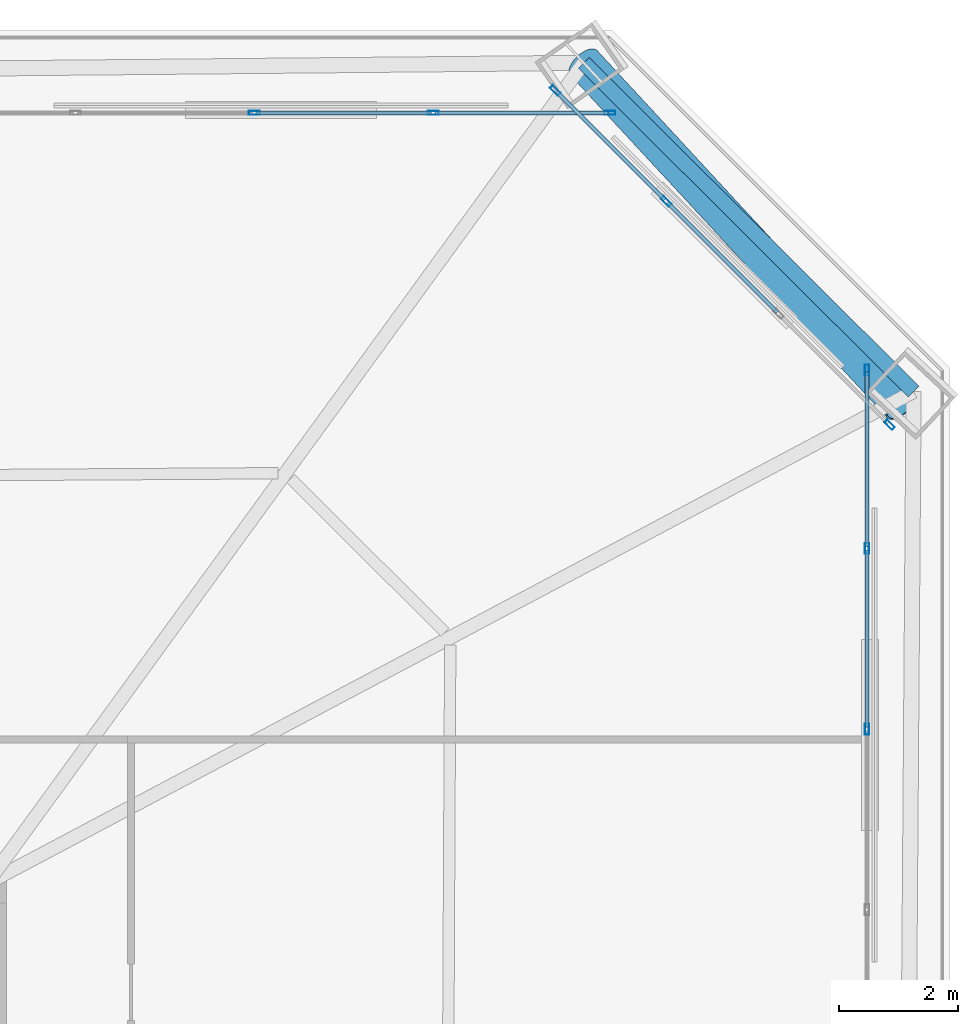
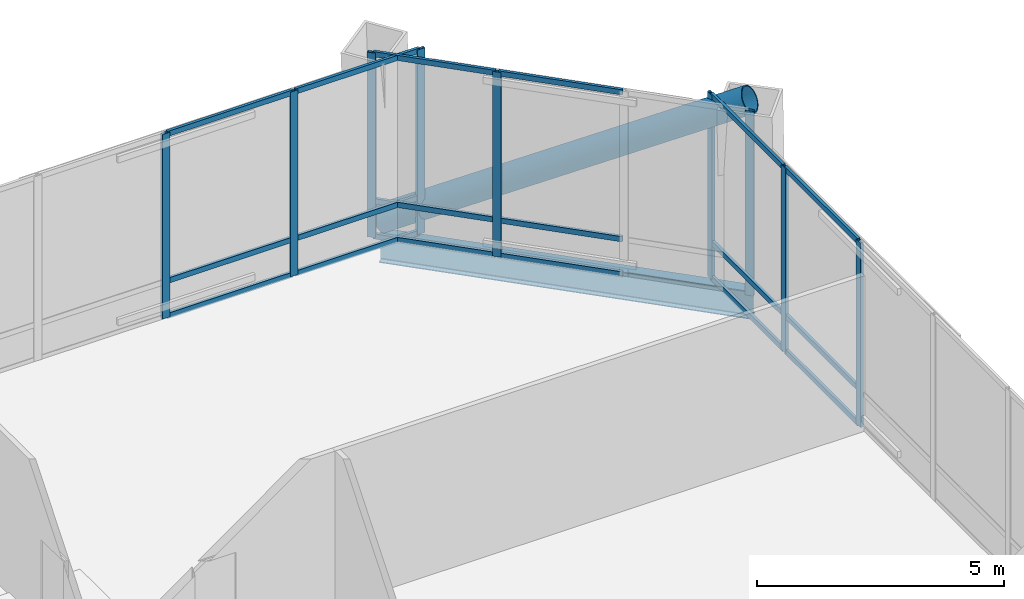
# One storey, part 39 of 48: 28 members, 1 beam, 3 elements without a shape of their own.
"""IFC4 building model written with IfcOpenShell, lengths in metres."""

from ifc_helpers import new_model, si_unit, direction, frame, origin, origin_2d, place, context, subcontext, project, spatial, hollow_rectangle, hollow_circle, i_section, extrude, material, layer, layer_set, material_profile, profile_set, type_object, element, aggregate, save


model = new_model("IFC4")

# Units and contexts
model_context = context("Model", 3, precision=1e-05, world=origin(), true_north=direction((0.0, 1.0)))
body_context = subcontext(model_context, "Body", "Model", "MODEL_VIEW")
ifc_project = project(units=[si_unit("LENGTHUNIT", "METRE"), si_unit("AREAUNIT", "SQUARE_METRE"), si_unit("VOLUMEUNIT", "CUBIC_METRE"), si_unit("PLANEANGLEUNIT", "RADIAN"), si_unit("MASSUNIT", "GRAM", prefix="KILO")], contexts=[model_context])

# Site, building, storey
site_placement = place(None, origin())
site = spatial("IfcSite", under=ifc_project, at=site_placement, CompositionType="ELEMENT")
building_placement = place(site_placement, origin())
building = spatial("IfcBuilding", under=site, at=building_placement, Name="Caelvoria Tower", CompositionType="ELEMENT")
storey_placement = place(building_placement, frame((0.0, 0.0, 90.39990234375)))
storey = spatial("IfcBuildingStorey", under=building, at=storey_placement, Name="L23", CompositionType="ELEMENT", Elevation=90.39990234375)

# Curtain wall, members
ifc_material_1 = material(Name="Anodised Bronze Aluminium and Low-E Glass", Category="aluminium")
ifc_layer = layer(ifc_material_1, 0.2099609375, Name="Anodised Bronze Aluminium and Low-E Glass")
ifc_layer_set = layer_set([ifc_layer], Name="CW System 3 Sky Lobby Double-Height Acoustic Facade - Anodised Bronze Aluminium and Low-E Glass")
curtain_wall_type = type_object("IfcCurtainWallType", Name="CW System 3 Sky Lobby Double-Height Acoustic Facade", PredefinedType="NOTDEFINED", material=ifc_layer_set)
curtain_wall_1_placement = place(storey_placement, origin())
curtain_wall_1 = element("IfcCurtainWall", 1, at=curtain_wall_1_placement, inside=storey, type_object=curtain_wall_type, Name="CW-03 Curtain Wall L23-E2", PredefinedType="NOTDEFINED")
ifc_material_2 = material(Name="Anodised Bronze Architectural Aluminium", Category="aluminium")
ifc_material_profile_1 = material_profile(ifc_material_2, hollow_rectangle(XDim=0.070068359375, YDim=0.179931640625, WallThickness=0.00390625, at=origin_2d()), Name="Anodised Bronze Architectural Aluminium")
ifc_profile_set_1 = profile_set([ifc_material_profile_1], Name="CW_MULL_70X180 - Anodised Bronze Architectural Aluminium")
member_type_1 = type_object("IfcMemberType", Name="Curtain Wall Mullion 70x180 Bronze Aluminium", PredefinedType="MULLION", material=ifc_profile_set_1)
member_1_placement = place(storey_placement, frame((69.73681640625, 42.584716796875, 0.0), z_axis=(0.0, 0.0, 1.0), x_axis=(-1.0, 0.0, 0.0)))
member_1 = element("IfcMember", 2, at=member_1_placement, type_object=member_type_1, Name="CW-03 mullion 10", PredefinedType="MULLION", context=body_context, shape_type="SweptSolid", body=[
    extrude(hollow_rectangle(XDim=0.070068359375, YDim=0.179931640625, WallThickness=0.00390625, at=origin_2d()), origin(), (0.0, 0.0, 1.0), 4.56005859375),
])
member_2_placement = place(storey_placement, frame((69.73681640625, 45.609130859375, 0.0), z_axis=(0.0, 0.0, 1.0), x_axis=(-1.0, 0.0, 0.0)))
member_2 = element("IfcMember", 3, at=member_2_placement, type_object=member_type_1, Name="CW-03 mullion 11", PredefinedType="MULLION", context=body_context, shape_type="SweptSolid", body=[
    extrude(hollow_rectangle(XDim=0.070068359375, YDim=0.179931640625, WallThickness=0.00390625, at=origin_2d()), origin(), (0.0, 0.0, 1.0), 4.56005859375),
])
member_3_placement = place(storey_placement, frame((69.73681640625, 48.598388671875, 0.0), z_axis=(0.0, 0.0, 1.0), x_axis=(-1.0, 0.0, 0.0)))
member_3 = element("IfcMember", 4, at=member_3_placement, type_object=member_type_1, Name="CW-03 mullion 12", PredefinedType="MULLION", context=body_context, shape_type="SweptSolid", body=[
    extrude(hollow_rectangle(XDim=0.070068359375, YDim=0.179931640625, WallThickness=0.00390625, at=origin_2d()), origin(), (0.0, 0.0, 1.0), 4.56005859375),
])

curtain_wall_2_placement = place(storey_placement, origin())
curtain_wall_2 = element("IfcCurtainWall", 5, at=curtain_wall_2_placement, inside=storey, type_object=curtain_wall_type, Name="CW-03 Curtain Wall L23-E3", PredefinedType="NOTDEFINED")
member_4_placement = place(storey_placement, frame((70.1162109375, 47.68212890625, 0.0), z_axis=(0.0, 0.0, 1.0), x_axis=(-0.707106781187, -0.707106781187, 0.0)))
member_4 = element("IfcMember", 6, at=member_4_placement, type_object=member_type_1, Name="CW-03 mullion 1", PredefinedType="MULLION", context=body_context, shape_type="SweptSolid", body=[
    extrude(hollow_rectangle(XDim=0.070068359375, YDim=0.179931640625, WallThickness=0.00390625, at=origin_2d()), origin(), (0.0, 0.0, 1.0), 4.56005859375),
])
member_5_placement = place(storey_placement, frame((66.374267578125, 51.424072265625, 0.0), z_axis=(0.0, 0.0, 1.0), x_axis=(-0.707106781187, -0.707106781187, 0.0)))
member_5 = element("IfcMember", 7, at=member_5_placement, type_object=member_type_1, Name="CW-03 mullion 3", PredefinedType="MULLION", context=body_context, shape_type="SweptSolid", body=[
    extrude(hollow_rectangle(XDim=0.070068359375, YDim=0.179931640625, WallThickness=0.00390625, at=origin_2d()), origin(), (0.0, 0.0, 1.0), 4.56005859375),
])
member_6_placement = place(storey_placement, frame((64.515625, 53.28271484375, 0.0), z_axis=(0.0, 0.0, 1.0), x_axis=(-0.707106781187, -0.707106781187, 0.0)))
member_6 = element("IfcMember", 8, at=member_6_placement, type_object=member_type_1, Name="CW-03 mullion 4", PredefinedType="MULLION", context=body_context, shape_type="SweptSolid", body=[
    extrude(hollow_rectangle(XDim=0.070068359375, YDim=0.179931640625, WallThickness=0.00390625, at=origin_2d()), origin(), (0.0, 0.0, 1.0), 4.56005859375),
])

curtain_wall_3_placement = place(storey_placement, origin())
curtain_wall_3 = element("IfcCurtainWall", 9, at=curtain_wall_3_placement, inside=storey, type_object=curtain_wall_type, Name="CW-03 Curtain Wall L23-E4", PredefinedType="NOTDEFINED")
member_7_placement = place(storey_placement, frame((65.431640625, 52.9033203125, 0.0), z_axis=(0.0, 0.0, 1.0), x_axis=(0.0, -1.0, 0.0)))
member_7 = element("IfcMember", 10, at=member_7_placement, type_object=member_type_1, Name="CW-03 mullion 1", PredefinedType="MULLION", context=body_context, shape_type="SweptSolid", body=[
    extrude(hollow_rectangle(XDim=0.070068359375, YDim=0.179931640625, WallThickness=0.00390625, at=origin_2d()), origin(), (0.0, 0.0, 1.0), 4.56005859375),
])
member_8_placement = place(storey_placement, frame((62.471923828125, 52.9033203125, 0.0), z_axis=(0.0, 0.0, 1.0), x_axis=(0.0, -1.0, 0.0)))
member_8 = element("IfcMember", 11, at=member_8_placement, type_object=member_type_1, Name="CW-03 mullion 2", PredefinedType="MULLION", context=body_context, shape_type="SweptSolid", body=[
    extrude(hollow_rectangle(XDim=0.070068359375, YDim=0.179931640625, WallThickness=0.00390625, at=origin_2d()), origin(), (0.0, 0.0, 1.0), 4.56005859375),
])
member_9_placement = place(storey_placement, frame((59.47705078125, 52.9033203125, 0.0), z_axis=(0.0, 0.0, 1.0), x_axis=(0.0, -1.0, 0.0)))
member_9 = element("IfcMember", 12, at=member_9_placement, type_object=member_type_1, Name="CW-03 mullion 3", PredefinedType="MULLION", context=body_context, shape_type="SweptSolid", body=[
    extrude(hollow_rectangle(XDim=0.070068359375, YDim=0.179931640625, WallThickness=0.00390625, at=origin_2d()), origin(), (0.0, 0.0, 1.0), 4.56005859375),
])

# Member
ifc_material_profile_2 = material_profile(ifc_material_2, hollow_rectangle(XDim=0.06494140625, YDim=0.1298828125, WallThickness=0.00341796875, at=origin_2d()), Name="Anodised Bronze Architectural Aluminium")
ifc_profile_set_2 = profile_set([ifc_material_profile_2], Name="CW_TRAN_65X130 - Anodised Bronze Architectural Aluminium")
member_type_2 = type_object("IfcMemberType", Name="Curtain Wall Transom 65x130 Bronze Aluminium", PredefinedType="USERDEFINED", material=ifc_profile_set_2)
member_10_placement = place(storey_placement, frame((69.73681640625, 42.619873046875, 0.03271484375), z_axis=(0.0, 1.0, 0.0), x_axis=(-1.0, 0.0, 0.0)))
member_10 = element("IfcMember", 13, at=member_10_placement, type_object=member_type_2, Name="CW-03 transom 10.1", ObjectType="TRANSOM", PredefinedType="USERDEFINED", context=body_context, shape_type="SweptSolid", body=[
    extrude(hollow_rectangle(XDim=0.06494140625, YDim=0.1298828125, WallThickness=0.00341796875, at=origin_2d()), origin(), (0.0, 0.0, 1.0), 2.9541015625),
])

member_11_placement = place(storey_placement, frame((69.73681640625, 42.619873046875, 0.900146484375), z_axis=(0.0, 1.0, 0.0), x_axis=(-1.0, 0.0, 0.0)))
member_11 = element("IfcMember", 14, at=member_11_placement, type_object=member_type_2, Name="CW-03 transom 10.2", ObjectType="TRANSOM", PredefinedType="USERDEFINED", context=body_context, shape_type="SweptSolid", body=[
    extrude(hollow_rectangle(XDim=0.06494140625, YDim=0.1298828125, WallThickness=0.00341796875, at=origin_2d()), origin(), (0.0, 0.0, 1.0), 2.9541015625),
])

member_12_placement = place(storey_placement, frame((69.73681640625, 42.619873046875, 4.527587890625), z_axis=(0.0, 1.0, 0.0), x_axis=(-1.0, 0.0, 0.0)))
member_12 = element("IfcMember", 15, at=member_12_placement, type_object=member_type_2, Name="CW-03 transom 10.3", ObjectType="TRANSOM", PredefinedType="USERDEFINED", context=body_context, shape_type="SweptSolid", body=[
    extrude(hollow_rectangle(XDim=0.06494140625, YDim=0.1298828125, WallThickness=0.00341796875, at=origin_2d()), origin(), (0.0, 0.0, 1.0), 2.9541015625),
])

member_13_placement = place(storey_placement, frame((69.73681640625, 45.64404296875, 0.03271484375), z_axis=(0.0, 1.0, 0.0), x_axis=(-1.0, 0.0, 0.0)))
member_13 = element("IfcMember", 16, at=member_13_placement, type_object=member_type_2, Name="CW-03 transom 11.1", ObjectType="TRANSOM", PredefinedType="USERDEFINED", context=body_context, shape_type="SweptSolid", body=[
    extrude(hollow_rectangle(XDim=0.06494140625, YDim=0.1298828125, WallThickness=0.00341796875, at=origin_2d()), origin(), (0.0, 0.0, 1.0), 2.919189453125),
])

member_14_placement = place(storey_placement, frame((69.73681640625, 45.64404296875, 0.900146484375), z_axis=(0.0, 1.0, 0.0), x_axis=(-1.0, 0.0, 0.0)))
member_14 = element("IfcMember", 17, at=member_14_placement, type_object=member_type_2, Name="CW-03 transom 11.2", ObjectType="TRANSOM", PredefinedType="USERDEFINED", context=body_context, shape_type="SweptSolid", body=[
    extrude(hollow_rectangle(XDim=0.06494140625, YDim=0.1298828125, WallThickness=0.00341796875, at=origin_2d()), origin(), (0.0, 0.0, 1.0), 2.919189453125),
])

member_15_placement = place(storey_placement, frame((69.73681640625, 45.64404296875, 4.527587890625), z_axis=(0.0, 1.0, 0.0), x_axis=(-1.0, 0.0, 0.0)))
member_15 = element("IfcMember", 18, at=member_15_placement, type_object=member_type_2, Name="CW-03 transom 11.3", ObjectType="TRANSOM", PredefinedType="USERDEFINED", context=body_context, shape_type="SweptSolid", body=[
    extrude(hollow_rectangle(XDim=0.06494140625, YDim=0.1298828125, WallThickness=0.00341796875, at=origin_2d()), origin(), (0.0, 0.0, 1.0), 2.919189453125),
])

aggregate(curtain_wall_1, [member_1, member_2, member_3, member_10, member_11, member_12, member_13, member_14, member_15])

member_16_placement = place(storey_placement, frame((68.23291015625, 49.565673828125, 0.03271484375), z_axis=(-0.707153847901, 0.707059711339, 0.0), x_axis=(-0.707059711339, -0.707153847901, 0.0)))
member_16 = element("IfcMember", 19, at=member_16_placement, type_object=member_type_2, Name="CW-03 transom 2.1", ObjectType="TRANSOM", PredefinedType="USERDEFINED", context=body_context, shape_type="SweptSolid", body=[
    extrude(hollow_rectangle(XDim=0.06494140625, YDim=0.1298828125, WallThickness=0.00341796875, at=origin_2d()), origin(), (0.0, 0.0, 1.0), 2.593505859375),
])

member_17_placement = place(storey_placement, frame((68.23291015625, 49.565673828125, 0.900146484375), z_axis=(-0.707153847901, 0.707059711339, 0.0), x_axis=(-0.707059711339, -0.707153847901, 0.0)))
member_17 = element("IfcMember", 20, at=member_17_placement, type_object=member_type_2, Name="CW-03 transom 2.2", ObjectType="TRANSOM", PredefinedType="USERDEFINED", context=body_context, shape_type="SweptSolid", body=[
    extrude(hollow_rectangle(XDim=0.06494140625, YDim=0.1298828125, WallThickness=0.00341796875, at=origin_2d()), origin(), (0.0, 0.0, 1.0), 2.593505859375),
])

member_18_placement = place(storey_placement, frame((68.23291015625, 49.565673828125, 4.527587890625), z_axis=(-0.707153847901, 0.707059711339, 0.0), x_axis=(-0.707059711339, -0.707153847901, 0.0)))
member_18 = element("IfcMember", 21, at=member_18_placement, type_object=member_type_2, Name="CW-03 transom 2.3", ObjectType="TRANSOM", PredefinedType="USERDEFINED", context=body_context, shape_type="SweptSolid", body=[
    extrude(hollow_rectangle(XDim=0.06494140625, YDim=0.1298828125, WallThickness=0.00341796875, at=origin_2d()), origin(), (0.0, 0.0, 1.0), 2.593505859375),
])

member_19_placement = place(storey_placement, frame((66.349365234375, 51.448974609375, 0.03271484375), z_axis=(-0.707106781187, 0.707106781187, 0.0), x_axis=(-0.707106781187, -0.707106781187, 0.0)))
member_19 = element("IfcMember", 22, at=member_19_placement, type_object=member_type_2, Name="CW-03 transom 3.1", ObjectType="TRANSOM", PredefinedType="USERDEFINED", context=body_context, shape_type="SweptSolid", body=[
    extrude(hollow_rectangle(XDim=0.06494140625, YDim=0.1298828125, WallThickness=0.00341796875, at=origin_2d()), origin(), (0.0, 0.0, 1.0), 2.558349609375),
])

member_20_placement = place(storey_placement, frame((66.349365234375, 51.448974609375, 0.900146484375), z_axis=(-0.707106781187, 0.707106781187, 0.0), x_axis=(-0.707106781187, -0.707106781187, 0.0)))
member_20 = element("IfcMember", 23, at=member_20_placement, type_object=member_type_2, Name="CW-03 transom 3.2", ObjectType="TRANSOM", PredefinedType="USERDEFINED", context=body_context, shape_type="SweptSolid", body=[
    extrude(hollow_rectangle(XDim=0.06494140625, YDim=0.1298828125, WallThickness=0.00341796875, at=origin_2d()), origin(), (0.0, 0.0, 1.0), 2.558349609375),
])

member_21_placement = place(storey_placement, frame((66.349365234375, 51.448974609375, 4.527587890625), z_axis=(-0.707106781187, 0.707106781187, 0.0), x_axis=(-0.707106781187, -0.707106781187, 0.0)))
member_21 = element("IfcMember", 24, at=member_21_placement, type_object=member_type_2, Name="CW-03 transom 3.3", ObjectType="TRANSOM", PredefinedType="USERDEFINED", context=body_context, shape_type="SweptSolid", body=[
    extrude(hollow_rectangle(XDim=0.06494140625, YDim=0.1298828125, WallThickness=0.00341796875, at=origin_2d()), origin(), (0.0, 0.0, 1.0), 2.558349609375),
])

aggregate(curtain_wall_2, [member_4, member_5, member_6, member_16, member_17, member_18, member_19, member_20, member_21])

member_22_placement = place(storey_placement, frame((65.396728515625, 52.9033203125, 0.03271484375), z_axis=(-1.0, 0.0, 0.0), x_axis=(0.0, -1.0, 0.0)))
member_22 = element("IfcMember", 25, at=member_22_placement, type_object=member_type_2, Name="CW-03 transom 1.1", ObjectType="TRANSOM", PredefinedType="USERDEFINED", context=body_context, shape_type="SweptSolid", body=[
    extrude(hollow_rectangle(XDim=0.06494140625, YDim=0.1298828125, WallThickness=0.00341796875, at=origin_2d()), origin(), (0.0, 0.0, 1.0), 2.889892578125),
])

member_23_placement = place(storey_placement, frame((65.396728515625, 52.9033203125, 0.900146484375), z_axis=(-1.0, 0.0, 0.0), x_axis=(0.0, -1.0, 0.0)))
member_23 = element("IfcMember", 26, at=member_23_placement, type_object=member_type_2, Name="CW-03 transom 1.2", ObjectType="TRANSOM", PredefinedType="USERDEFINED", context=body_context, shape_type="SweptSolid", body=[
    extrude(hollow_rectangle(XDim=0.06494140625, YDim=0.1298828125, WallThickness=0.00341796875, at=origin_2d()), origin(), (0.0, 0.0, 1.0), 2.889892578125),
])

member_24_placement = place(storey_placement, frame((65.396728515625, 52.9033203125, 4.527587890625), z_axis=(-1.0, 0.0, 0.0), x_axis=(0.0, -1.0, 0.0)))
member_24 = element("IfcMember", 27, at=member_24_placement, type_object=member_type_2, Name="CW-03 transom 1.3", ObjectType="TRANSOM", PredefinedType="USERDEFINED", context=body_context, shape_type="SweptSolid", body=[
    extrude(hollow_rectangle(XDim=0.06494140625, YDim=0.1298828125, WallThickness=0.00341796875, at=origin_2d()), origin(), (0.0, 0.0, 1.0), 2.889892578125),
])

member_25_placement = place(storey_placement, frame((62.436767578125, 52.9033203125, 0.03271484375), z_axis=(-1.0, 0.0, 0.0), x_axis=(0.0, -1.0, 0.0)))
member_25 = element("IfcMember", 28, at=member_25_placement, type_object=member_type_2, Name="CW-03 transom 2.1", ObjectType="TRANSOM", PredefinedType="USERDEFINED", context=body_context, shape_type="SweptSolid", body=[
    extrude(hollow_rectangle(XDim=0.06494140625, YDim=0.1298828125, WallThickness=0.00341796875, at=origin_2d()), origin(), (0.0, 0.0, 1.0), 2.9248046875),
])

member_26_placement = place(storey_placement, frame((62.436767578125, 52.9033203125, 0.900146484375), z_axis=(-1.0, 0.0, 0.0), x_axis=(0.0, -1.0, 0.0)))
member_26 = element("IfcMember", 29, at=member_26_placement, type_object=member_type_2, Name="CW-03 transom 2.2", ObjectType="TRANSOM", PredefinedType="USERDEFINED", context=body_context, shape_type="SweptSolid", body=[
    extrude(hollow_rectangle(XDim=0.06494140625, YDim=0.1298828125, WallThickness=0.00341796875, at=origin_2d()), origin(), (0.0, 0.0, 1.0), 2.9248046875),
])

member_27_placement = place(storey_placement, frame((62.436767578125, 52.9033203125, 4.527587890625), z_axis=(-1.0, 0.0, 0.0), x_axis=(0.0, -1.0, 0.0)))
member_27 = element("IfcMember", 30, at=member_27_placement, type_object=member_type_2, Name="CW-03 transom 2.3", ObjectType="TRANSOM", PredefinedType="USERDEFINED", context=body_context, shape_type="SweptSolid", body=[
    extrude(hollow_rectangle(XDim=0.06494140625, YDim=0.1298828125, WallThickness=0.00341796875, at=origin_2d()), origin(), (0.0, 0.0, 1.0), 2.9248046875),
])

aggregate(curtain_wall_3, [member_7, member_8, member_9, member_22, member_23, member_24, member_25, member_26, member_27])

ifc_material_3 = material(Name="Structural Steel ASTM A572 Gr.50", Category="steel")
ifc_material_profile_3 = material_profile(ifc_material_3, hollow_circle(Radius=0.304931640625, WallThickness=0.02490234375, at=origin_2d()), Name="Structural Steel ASTM A572 Gr.50")
ifc_profile_set_3 = profile_set([ifc_material_profile_3], Name="CHS610X25 - Structural Steel ASTM A572 Gr.50")
member_type_3 = type_object("IfcMemberType", Name="Lower Perimeter Mega Brace CHS610X25", PredefinedType="BRACE", material=ifc_profile_set_3)
member_28_placement = place(storey_placement, frame((64.992919921875, 53.7412109375, 0.0), z_axis=(0.586410271615, -0.634117494154, 0.504001981099), x_axis=(0.734185088585, 0.678949376389, 0.0)))
element("IfcMember", 31, at=member_28_placement, inside=storey, type_object=member_type_3, Name="Perimeter Chamfer Mega Brace L23 NE", PredefinedType="BRACE", context=body_context, shape_type="SweptSolid", body=[
    extrude(hollow_circle(Radius=0.304931640625, WallThickness=0.02490234375, at=origin_2d()), origin(), (0.0, 0.0, 1.0), 9.047607421875),
])

# Beam
ifc_material_4 = material(Name="Structural Steel ASTM A992 Gr.50", Category="steel")
ifc_material_profile_4 = material_profile(ifc_material_4, i_section(OverallWidth=0.25390625, OverallDepth=0.68798828125, WebThickness=0.01318359375, FlangeThickness=0.02099609375, FilletRadius=0.01904296875, at=origin_2d()), Name="Structural Steel ASTM A992 Gr.50")
ifc_profile_set_4 = profile_set([ifc_material_profile_4], Name="W690X152 - Structural Steel ASTM A992 Gr.50")
beam_type = type_object("IfcBeamType", Name="Perimeter Spandrel Girder W690X152", PredefinedType="BEAM", material=ifc_profile_set_4)
beam_placement = place(storey_placement, frame((70.516357421875, 48.23583984375, -0.663818359375), z_axis=(-0.708264149892, 0.705947515031, 0.0), x_axis=(-0.705947515031, -0.708264149892, 0.0)))
element("IfcBeam", 32, at=beam_placement, inside=storey, type_object=beam_type, Name="Perimeter Spandrel Girder L23-05", PredefinedType="BEAM", context=body_context, shape_type="SweptSolid", body=[
    extrude(i_section(OverallWidth=0.25390625, OverallDepth=0.68798828125, WebThickness=0.01318359375, FlangeThickness=0.02099609375, FilletRadius=0.01904296875, at=origin_2d()), origin(), (0.0, 0.0, 1.0), 7.798583984375),
])

save(model, "model.ifc")
